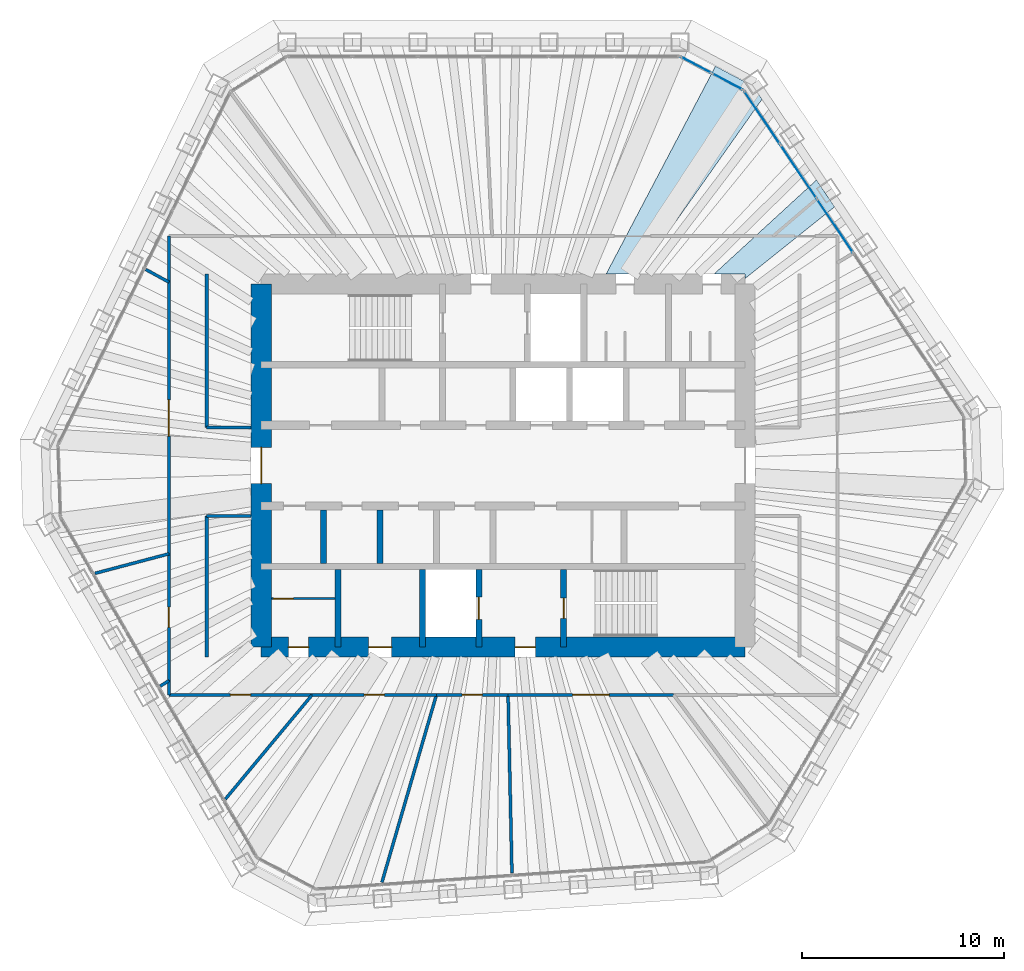
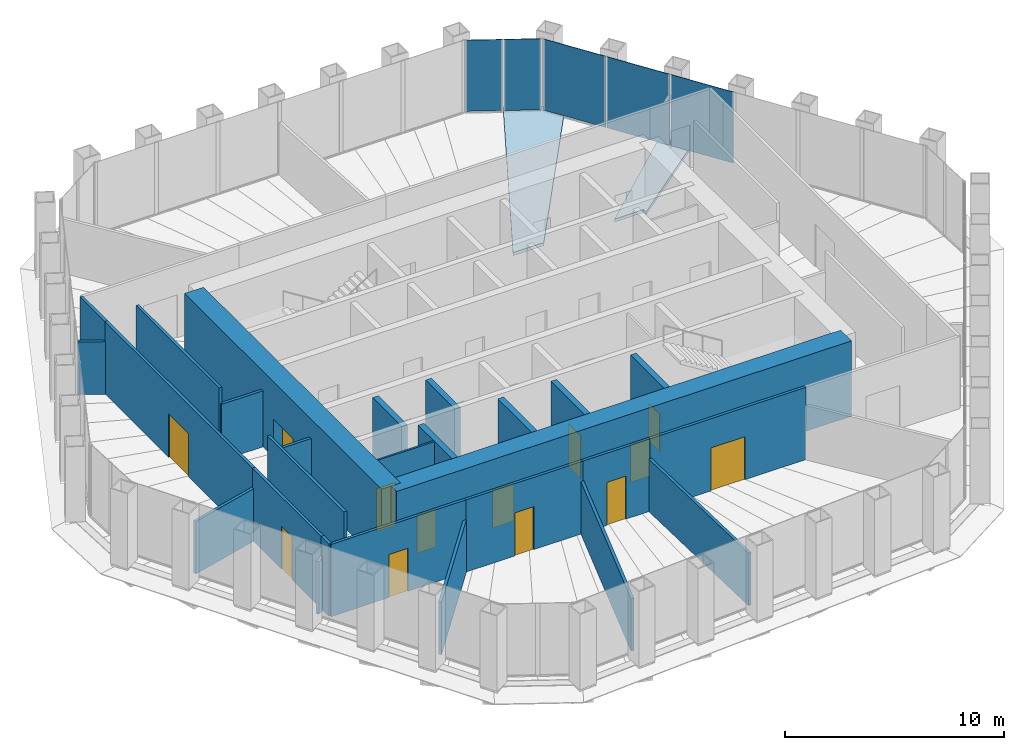
# One storey, part 11 of 14: 27 walls, 13 doors, 5 plates, 2 slabs, 13 openings, 2 elements without a shape of their own.
"""IFC4 building model written with IfcOpenShell, lengths in metres."""

import ifcopenshell
import ifcopenshell.guid

model = None  # the IFC model being written
_history = None  # IfcOwnerHistory: only IFC2X3 demands one
_inside = {}  # id of a spatial element -> (the spatial element, [elements in it])
_under = {}  # id of a project, library or spatial element -> (it, [spatial elements below it])
_declared = {}  # id of a project -> (the project, [libraries it declares])
_typed = {}  # id of a type object -> (the type object, [elements of that type])
_made_of = {}  # id of a material, layer set ... -> (it, [elements and type objects made of it])


def new_model(schema):
    """Start an empty IFC model of exactly this schema.

    Asked for "IFC4X3", IfcOpenShell would pick the latest addendum, in which some entities
    have other attributes; the version numbers below select the first issue.
    IFC2X3 requires an IfcOwnerHistory on every rooted entity: one is made here for all.
    """
    global model, _history
    if schema == "IFC4X3":
        model = ifcopenshell.file(schema_version=(4, 3, 0, 0))
    else:
        model = ifcopenshell.file(schema=schema)
    _inside.clear()
    _under.clear()
    _declared.clear()
    _typed.clear()
    _made_of.clear()
    _history = None
    if model.schema == "IFC2X3":
        org = make("IfcOrganization", Name="unknown")
        user = make(
            "IfcPersonAndOrganization",
            ThePerson=make("IfcPerson", FamilyName="unknown"),
            TheOrganization=org,
        )
        app = make(
            "IfcApplication",
            ApplicationDeveloper=org,
            Version="unknown",
            ApplicationFullName="unknown",
            ApplicationIdentifier="unknown",
        )
        _history = make(
            "IfcOwnerHistory",
            OwningUser=user,
            OwningApplication=app,
            ChangeAction="ADDED",
            CreationDate=0,
        )
    return model


def make(cls, **values):
    """One entity of the class cls with the attributes given. An attribute that is None is left unset."""
    return model.create_entity(
        cls, **{name: value for name, value in values.items() if value is not None}
    )


def rooted(cls, **values):
    """An entity with a GlobalId (a new one), such as an element, a storey or a relation."""
    return make(cls, GlobalId=ifcopenshell.guid.new(), OwnerHistory=_history, **values)


def si_unit(unit_type, name, prefix=None):
    """IfcSIUnit, for example si_unit("LENGTHUNIT", "METRE", prefix="MILLI")."""
    return make("IfcSIUnit", UnitType=unit_type, Prefix=prefix, Name=name)


def assignment(units):
    """IfcUnitAssignment: the units of a project."""
    return None if units is None else make("IfcUnitAssignment", Units=units)


def point(xyz):
    """IfcCartesianPoint."""
    return None if xyz is None else make("IfcCartesianPoint", Coordinates=xyz)


def direction(xyz):
    """IfcDirection."""
    return None if xyz is None else make("IfcDirection", DirectionRatios=xyz)


def frame(location, z_axis=None, x_axis=None):
    """IfcAxis2Placement3D, a coordinate frame: its origin and axes. An axis left out is left unset."""
    return make(
        "IfcAxis2Placement3D",
        Location=point(location),
        Axis=direction(z_axis),
        RefDirection=direction(x_axis),
    )


def frame_2d(location, x_axis=None):
    """IfcAxis2Placement2D, a coordinate frame in the plane: its origin and x axis."""
    return make(
        "IfcAxis2Placement2D", Location=point(location), RefDirection=direction(x_axis)
    )


def origin():
    """The frame at (0, 0, 0) with its axes left unset."""
    return frame((0.0, 0.0, 0.0))


def origin_2d():
    """The frame at (0, 0) in the plane with its x axis left unset."""
    return frame_2d((0.0, 0.0))


def place(relative_to, where):
    """IfcLocalPlacement: puts the frame where relative to a parent placement (None: the world)."""
    return make(
        "IfcLocalPlacement", PlacementRelTo=relative_to, RelativePlacement=where
    )


def context(
    kind, dimensions, precision=None, world=None, true_north=None, identifier=None
):
    """IfcGeometricRepresentationContext, for example the 3D "Model" context."""
    return make(
        "IfcGeometricRepresentationContext",
        ContextIdentifier=identifier,
        ContextType=kind,
        CoordinateSpaceDimension=dimensions,
        Precision=precision,
        WorldCoordinateSystem=world,
        TrueNorth=true_north,
    )


def subcontext(parent, identifier, kind, view, scale=None):
    """IfcGeometricRepresentationSubContext, for example "Body" below "Model"."""
    return make(
        "IfcGeometricRepresentationSubContext",
        ContextIdentifier=identifier,
        ContextType=kind,
        ParentContext=parent,
        TargetScale=scale,
        TargetView=view,
    )


def project(units=None, contexts=None):
    """IfcProject with its units and contexts."""
    return rooted(
        "IfcProject",
        Name="project",
        RepresentationContexts=contexts,
        UnitsInContext=assignment(units),
    )


def spatial(cls, under=None, at=None, **own):
    """A site, building, storey or space (cls), placed at a placement, below another one or the project."""
    s = rooted(cls, ObjectPlacement=at, **own)
    if under is not None:
        _under.setdefault(under.id(), (under, []))[1].append(s)
    return s


def polyline(points):
    """IfcPolyline through the points."""
    return make("IfcPolyline", Points=[point(p) for p in points])


def profile(cls, at=None, kind="AREA", **sizes):
    """A parametric profile (cls). Its sizes go by their IFC names, for example OverallWidth=200.0."""
    return make(cls, ProfileType=kind, Position=at, **sizes)


def rectangle(**sizes):
    """IfcRectangleProfileDef."""
    return profile("IfcRectangleProfileDef", **sizes)


def outline(outer, holes=None, kind="AREA"):
    """IfcArbitraryClosedProfileDef: a profile drawn as a closed curve; with holes, ...WithVoids."""
    if holes is None:
        return make("IfcArbitraryClosedProfileDef", ProfileType=kind, OuterCurve=outer)
    return make(
        "IfcArbitraryProfileDefWithVoids",
        ProfileType=kind,
        OuterCurve=outer,
        InnerCurves=holes,
    )


def extrude(swept, where, along, depth):
    """IfcExtrudedAreaSolid: the profile swept, set in the frame where, extruded along a direction by depth."""
    return make(
        "IfcExtrudedAreaSolid",
        SweptArea=swept,
        Position=where,
        ExtrudedDirection=direction(along),
        Depth=depth,
    )


def shape(context_of_items, identifier, shape_type, items):
    """IfcShapeRepresentation: the items that make up one representation, for example the "Body"."""
    return make(
        "IfcShapeRepresentation",
        ContextOfItems=context_of_items,
        RepresentationIdentifier=identifier,
        RepresentationType=shape_type,
        Items=items,
    )


def material(Name=None, Category=None):
    """IfcMaterial."""
    return make("IfcMaterial", Name=Name, Category=Category)


def layer(
    of_material, thickness, ventilated=None, Name=None, Category=None, Priority=None
):
    """IfcMaterialLayer: one layer of a wall or slab, of a material (None: an air gap)."""
    return make(
        "IfcMaterialLayer",
        Material=of_material,
        LayerThickness=thickness,
        IsVentilated=ventilated,
        Name=Name,
        Category=Category,
        Priority=Priority,
    )


def layer_set(layers, Name=None):
    """IfcMaterialLayerSet."""
    return make("IfcMaterialLayerSet", MaterialLayers=layers, LayerSetName=Name)


def made_of(thing, what):
    """Note that an element or type object is made of a material, layer set ...; save() writes the relation."""
    if what is not None:
        _made_of.setdefault(what.id(), (what, []))[1].append(thing)
    return thing


def type_object(cls, material=None, **own):
    """A type object (cls), such as IfcWallType, which elements share."""
    return made_of(rooted(cls, **own), material)


def element(
    cls,
    number,
    at=None,
    inside=None,
    cuts=None,
    type_object=None,
    material=None,
    context=None,
    identifier="Body",
    shape_type=None,
    held_by="IfcProductDefinitionShape",
    body=None,
    shapes=None,
    **own,
):
    """One element of the class cls, such as IfcWall. Its Tag is "e" and its number.

    at: its placement. inside: the storey or other place that contains it. cuts: it is an
    opening in that element (IfcRelVoidsElement). A single representation is given by context,
    identifier, shape_type and body (its items); several are given by shapes. held_by: the class
    of the entity that holds the representations. save() writes the other relations.
    """
    e = rooted(cls, Tag="e%d" % number, ObjectPlacement=at, **own)
    if body is not None:
        shapes = [shape(context, identifier, shape_type, body)]
    if shapes is not None:
        e.Representation = make(held_by, Representations=shapes)
    if inside is not None:
        _inside.setdefault(inside.id(), (inside, []))[1].append(e)
    if cuts is not None:
        rooted(
            "IfcRelVoidsElement", RelatingBuildingElement=cuts, RelatedOpeningElement=e
        )
    if type_object is not None:
        _typed.setdefault(type_object.id(), (type_object, []))[1].append(e)
    return made_of(e, material)


def fill(opening, filler):
    """IfcRelFillsElement: the door or window that sits in an opening."""
    return rooted(
        "IfcRelFillsElement",
        RelatingOpeningElement=opening,
        RelatedBuildingElement=filler,
    )


def aggregate(whole, parts):
    """IfcRelAggregates: a whole, such as a stair, and the parts it consists of."""
    return rooted("IfcRelAggregates", RelatingObject=whole, RelatedObjects=parts)


def save(model, path):
    """Write the relations noted so far, then the file.

    IfcRelAggregates (storeys below a building ...), IfcRelContainedInSpatialStructure (elements
    in a storey), IfcRelDefinesByType, IfcRelAssociatesMaterial and IfcRelDeclares: one each for
    every whole, place, type object, material and project.
    """
    for whole, parts in _under.values():
        aggregate(whole, parts)
    for where, things in _inside.values():
        rooted(
            "IfcRelContainedInSpatialStructure",
            RelatedElements=things,
            RelatingStructure=where,
        )
    for kind, things in _typed.values():
        rooted("IfcRelDefinesByType", RelatedObjects=things, RelatingType=kind)
    for what, things in _made_of.values():
        rooted("IfcRelAssociatesMaterial", RelatedObjects=things, RelatingMaterial=what)
    for by, libraries in _declared.values():
        rooted("IfcRelDeclares", RelatingContext=by, RelatedDefinitions=libraries)
    model.write(path)


model = new_model("IFC4")

# Units and contexts
model_context = context("Model", 3, precision=1e-05, world=origin(), true_north=direction((0.0, 1.0)))
body_context = subcontext(model_context, "Body", "Model", "MODEL_VIEW")
ifc_project = project(units=[si_unit("LENGTHUNIT", "METRE"), si_unit("AREAUNIT", "SQUARE_METRE"), si_unit("VOLUMEUNIT", "CUBIC_METRE"), si_unit("PLANEANGLEUNIT", "RADIAN"), si_unit("MASSUNIT", "GRAM", prefix="KILO")], contexts=[model_context])

# Site, building, storey
site_placement = place(None, origin())
site = spatial("IfcSite", under=ifc_project, at=site_placement, CompositionType="ELEMENT")
building_placement = place(site_placement, origin())
building = spatial("IfcBuilding", under=site, at=building_placement, Name="Qingtian Harvest Tower", CompositionType="ELEMENT")
storey_placement = place(building_placement, frame((0.0, 0.0, 299.800048828125)))
storey = spatial("IfcBuildingStorey", under=building, at=storey_placement, Name="L66", CompositionType="ELEMENT", Elevation=299.800048828125)

# Slabs
ifc_material_1 = material(Name="Concrete fc' 35 MPa", Category="concrete")
ifc_layer_1 = layer(ifc_material_1, 0.169921875)
ifc_layer_set_1 = layer_set([ifc_layer_1], Name="Composite floor slab FS17 170")
slab_type = type_object("IfcSlabType", Name="Composite floor slab FS17 170", PredefinedType="FLOOR", material=ifc_layer_set_1)
slab_1_placement = place(storey_placement, frame((0.0, 0.0, -0.170166015625)))
element("IfcSlab", 1, at=slab_1_placement, inside=storey, type_object=slab_type, Name="Floor slab L66 panel D48", PredefinedType="FLOOR", context=body_context, shape_type="SweptSolid", body=[
    extrude(outline(polyline([(12.0, 9.5), (10.4599609375, 9.5), (15.541259765625, 14.16455078125), (16.44189453125, 12.829345703125), (12.0, 9.2734375), (12.0, 9.5)])), origin(), (0.0, 0.0, 1.0), 0.170166015625),
])
slab_2_placement = place(storey_placement, frame((0.0, 0.0, -0.170166015625)))
element("IfcSlab", 2, at=slab_2_placement, inside=storey, type_object=slab_type, Name="Floor slab L66 panel D52", PredefinedType="FLOOR", context=body_context, shape_type="SweptSolid", body=[
    extrude(outline(polyline([(6.73291015625, 9.5), (5.108154296875, 9.5), (10.5341796875, 19.809814453125), (12.404296875, 18.8154296875), (12.841796875, 18.16650390625), (6.73291015625, 9.5)])), origin(), (0.0, 0.0, 1.0), 0.170166015625),
])

# Curtain wall, plates
ifc_material_2 = material(Name="Bronze-anodised aluminium curtain wall", Category="aluminium")
curtain_wall_type = type_object("IfcCurtainWallType", Name="Curtain wall CW5 upper office", PredefinedType="USERDEFINED", material=ifc_material_2)
curtain_wall_1_placement = place(storey_placement, origin())
curtain_wall_1 = element("IfcCurtainWall", 3, at=curtain_wall_1_placement, inside=storey, type_object=curtain_wall_type, Name="Curtain wall CW5 L66 NC", ObjectType="RECESSED CURTAIN WALL", PredefinedType="USERDEFINED")
ifc_material_3 = material(Name="Bronze-tinted laminated insulating glass", Category="glass")
ifc_layer_2 = layer(ifc_material_3, 0.030029296875)
ifc_layer_set_2 = layer_set([ifc_layer_2], Name="Glazed panel CWP tinted IGU")
plate_type = type_object("IfcPlateType", Name="Glazed panel CWP tinted IGU", PredefinedType="CURTAIN_PANEL", material=ifc_layer_set_2)
plate_1_placement = place(storey_placement, frame((9.57080078125, 19.8720703125, 0.06494140625), z_axis=(0.0, 0.0, 1.0), x_axis=(0.882947592859, -0.469471562786, 0.0)))
plate_1 = element("IfcPlate", 4, at=plate_1_placement, type_object=plate_type, Name="CW5 panel 1.1", PredefinedType="CURTAIN_PANEL", context=body_context, shape_type="SweptSolid", body=[
    extrude(rectangle(XDim=1.69287109375, YDim=0.030029296875, at=origin_2d()), origin(), (0.0, 0.0, 1.0), 3.965087890625),
])
plate_2_placement = place(storey_placement, frame((11.122802734375, 19.046875, 0.06494140625), z_axis=(0.0, 0.0, 1.0), x_axis=(0.882947592859, -0.469471562786, 0.0)))
plate_2 = element("IfcPlate", 5, at=plate_2_placement, type_object=plate_type, Name="CW5 panel 2.1", PredefinedType="CURTAIN_PANEL", context=body_context, shape_type="SweptSolid", body=[
    extrude(rectangle(XDim=1.69287109375, YDim=0.030029296875, at=origin_2d()), origin(), (0.0, 0.0, 1.0), 3.965087890625),
])
aggregate(curtain_wall_1, [plate_1, plate_2])

curtain_wall_2_placement = place(storey_placement, origin())
curtain_wall_2 = element("IfcCurtainWall", 6, at=curtain_wall_2_placement, inside=storey, type_object=curtain_wall_type, Name="Curtain wall CW5 L66 NE0-5", ObjectType="RECESSED CURTAIN WALL", PredefinedType="USERDEFINED")
plate_3_placement = place(storey_placement, frame((12.844970703125, 17.259033203125, 0.06494140625), z_axis=(0.0, 0.0, 1.0), x_axis=(0.559192903471, -0.829037572555, 0.0)))
plate_3 = element("IfcPlate", 7, at=plate_3_placement, type_object=plate_type, Name="CW5 panel 1.1", PredefinedType="CURTAIN_PANEL", context=body_context, shape_type="SweptSolid", body=[
    extrude(rectangle(XDim=3.150634765625, YDim=0.030029296875, at=origin_2d()), origin(), (0.0, 0.0, 1.0), 3.965087890625),
])
plate_4_placement = place(storey_placement, frame((14.652099609375, 14.579833984375, 0.06494140625), z_axis=(0.0, 0.0, 1.0), x_axis=(0.559192903471, -0.829037572555, 0.0)))
plate_4 = element("IfcPlate", 8, at=plate_4_placement, type_object=plate_type, Name="CW5 panel 2.1", PredefinedType="CURTAIN_PANEL", context=body_context, shape_type="SweptSolid", body=[
    extrude(rectangle(XDim=3.18310546875, YDim=0.030029296875, at=origin_2d()), origin(), (0.0, 0.0, 1.0), 3.965087890625),
])
plate_5_placement = place(storey_placement, frame((16.46826171875, 11.886962890625, 0.06494140625), z_axis=(0.0, 0.0, 1.0), x_axis=(0.559192903471, -0.829037572555, 0.0)))
plate_5 = element("IfcPlate", 9, at=plate_5_placement, type_object=plate_type, Name="CW5 panel 3.1", PredefinedType="CURTAIN_PANEL", context=body_context, shape_type="SweptSolid", body=[
    extrude(rectangle(XDim=3.18310546875, YDim=0.030029296875, at=origin_2d()), origin(), (0.0, 0.0, 1.0), 3.965087890625),
])
aggregate(curtain_wall_2, [plate_3, plate_4, plate_5])

# Walls
ifc_material_4 = material(Name="Precast concrete shaft panel", Category="concrete")
ifc_layer_3 = layer(ifc_material_4, 0.300048828125)
ifc_layer_set_3 = layer_set([ifc_layer_3], Name="Core shaft partition SW1 300")
wall_type_1 = type_object("IfcWallType", Name="Core shaft partition SW1 300", PredefinedType="PARTITIONING", material=ifc_layer_set_3)
for number, where, z_axis, x_axis, name in (
    (10, (-8.89990234375, -4.85009765625, 0.0), (0.0, 0.0, 1.0), (0.0, 1.0, 0.0), "Core shaft partition XB1 L66"),
    (11, (-6.10009765625, -4.85009765625, 0.0), (0.0, 0.0, 1.0), (0.0, 1.0, 0.0), "Core shaft partition XB2 L66"),
):
    element("IfcWall", number, at=place(storey_placement, frame(where, z_axis=z_axis, x_axis=x_axis)), inside=storey, type_object=wall_type_1, Name=name, PredefinedType="PARTITIONING", context=body_context, shape_type="SweptSolid", body=[
        extrude(rectangle(XDim=2.650146484375, YDim=0.300048828125, at=frame_2d((1.3251953125, 0.0))), origin(), (0.0, 0.0, 1.0), 3.97998046875),
    ])
for number, where, z_axis, x_axis, name in (
    (12, (-8.199951171875, -9.0, 0.0), (0.0, 0.0, 1.0), (0.0, 1.0, 0.0), "Core shaft partition XS1 L66"),
    (13, (-4.0, -9.0, 0.0), (0.0, 0.0, 1.0), (0.0, 1.0, 0.0), "Core shaft partition XS2 L66"),
):
    element("IfcWall", number, at=place(storey_placement, frame(where, z_axis=z_axis, x_axis=x_axis)), inside=storey, type_object=wall_type_1, Name=name, PredefinedType="PARTITIONING", context=body_context, shape_type="SweptSolid", body=[
        extrude(rectangle(XDim=3.85009765625, YDim=0.300048828125, at=frame_2d((1.925048828125, 0.0))), origin(), (0.0, 0.0, 1.0), 3.97998046875),
    ])

# Wall, opening, door
wall_1_placement = place(storey_placement, frame((-1.199951171875, -9.0, 0.0), z_axis=(0.0, 0.0, 1.0), x_axis=(0.0, 1.0, 0.0)))
wall_1 = element("IfcWall", 14, at=wall_1_placement, inside=storey, type_object=wall_type_1, Name="Core shaft partition XS3 L66", PredefinedType="PARTITIONING", context=body_context, shape_type="SweptSolid", body=[
    extrude(rectangle(XDim=3.85009765625, YDim=0.300048828125, at=frame_2d((1.925048828125, 0.0))), origin(), (0.0, 0.0, 1.0), 3.97998046875),
])
opening_1_placement = place(wall_1_placement, frame((1.375, 0.0, 0.0)))
opening_1 = element("IfcOpeningElement", 15, at=opening_1_placement, cuts=wall_1, Name="Opening LD1", PredefinedType="OPENING", context=body_context, shape_type="SweptSolid", body=[
    extrude(rectangle(XDim=1.10009765625, YDim=2.39990234375, at=frame_2d((0.550048828125, 1.199951171875))), frame((0.0, 0.159912109375, 0.0), z_axis=(0.0, -1.0, 0.0), x_axis=(1.0, 0.0, 0.0)), (0.0, 0.0, 1.0), 0.320068359375),
])
ifc_material_5 = material(Name="Stainless steel lift landing door", Category="steel")
door_type_1 = type_object("IfcDoorType", Name="Lift landing door LD1 1 HR", OperationType="DOUBLE_DOOR_SLIDING", PredefinedType="DOOR", material=ifc_material_5)
door_1_placement = place(opening_1_placement, origin())
door_1 = element("IfcDoor", 16, at=door_1_placement, inside=storey, type_object=door_type_1, Name="FL2 landing door L66", OperationType="DOUBLE_DOOR_SLIDING", OverallHeight=2.39990234375, OverallWidth=1.10009765625, PredefinedType="DOOR", context=body_context, shape_type="SweptSolid", body=[
    extrude(rectangle(XDim=1.10009765625, YDim=2.39990234375, at=frame_2d((0.550048828125, 1.199951171875))), frame((0.0, 0.02490234375, 0.0), z_axis=(0.0, -1.0, 0.0), x_axis=(1.0, 0.0, 0.0)), (0.0, 0.0, 1.0), 0.050048828125),
])
fill(opening_1, door_1)

wall_2_placement = place(storey_placement, frame((3.0, -9.0, 0.0), z_axis=(0.0, 0.0, 1.0), x_axis=(0.0, 1.0, 0.0)))
wall_2 = element("IfcWall", 17, at=wall_2_placement, inside=storey, type_object=wall_type_1, Name="Core shaft partition XS4 L66", PredefinedType="PARTITIONING", context=body_context, shape_type="SweptSolid", body=[
    extrude(rectangle(XDim=3.85009765625, YDim=0.300048828125, at=frame_2d((1.925048828125, 0.0))), origin(), (0.0, 0.0, 1.0), 3.97998046875),
])
opening_2_placement = place(wall_2_placement, frame((1.425048828125, 0.0, 0.0)))
opening_2 = element("IfcOpeningElement", 18, at=opening_2_placement, cuts=wall_2, Name="Opening FD1", PredefinedType="OPENING", context=body_context, shape_type="SweptSolid", body=[
    extrude(rectangle(XDim=1.0, YDim=2.10009765625, at=frame_2d((0.5, 1.050048828125))), frame((0.0, 0.159912109375, 0.0), z_axis=(0.0, -1.0, 0.0), x_axis=(1.0, 0.0, 0.0)), (0.0, 0.0, 1.0), 0.320068359375),
])
ifc_material_6 = material(Name="Steel-faced door leaf", Category="steel")
door_type_2 = type_object("IfcDoorType", Name="Fire door FD1 single 1 HR", OperationType="SINGLE_SWING_LEFT", PredefinedType="DOOR", material=ifc_material_6)
door_2_placement = place(opening_2_placement, origin())
door_2 = element("IfcDoor", 19, at=door_2_placement, inside=storey, type_object=door_type_2, Name="S2 door L66", OperationType="SINGLE_SWING_LEFT", OverallHeight=2.10009765625, OverallWidth=1.0, PredefinedType="DOOR", context=body_context, shape_type="SweptSolid", body=[
    extrude(rectangle(XDim=1.0, YDim=2.10009765625, at=frame_2d((0.5, 1.050048828125))), frame((0.0, 0.02490234375, 0.0), z_axis=(0.0, -1.0, 0.0), x_axis=(1.0, 0.0, 0.0)), (0.0, 0.0, 1.0), 0.050048828125),
])
fill(opening_2, door_2)

# Wall, openings, doors
ifc_material_7 = material(Name="Concrete fc' 70 MPa", Category="concrete")
ifc_layer_4 = layer(ifc_material_7, 1.0)
ifc_layer_set_4 = layer_set([ifc_layer_4], Name="Core wall RC3 1000")
wall_type_2 = type_object("IfcWallType", Name="Core wall RC3 1000", PredefinedType="SHEAR", material=ifc_layer_set_4)
wall_3_placement = place(storey_placement, frame((-12.0, -9.0, 0.0), z_axis=(0.0, 0.0, 1.0), x_axis=(1.0, 0.0, 0.0)))
wall_3 = element("IfcWall", 20, at=wall_3_placement, inside=storey, type_object=wall_type_2, Name="Core wall CS L66", PredefinedType="SHEAR", context=body_context, shape_type="SweptSolid", body=[
    extrude(rectangle(XDim=24.0, YDim=1.0, at=frame_2d((12.0, 0.0))), origin(), (0.0, 0.0, 1.0), 4.199951171875),
])
opening_3_placement = place(wall_3_placement, frame((1.35009765625, 0.0, 0.0)))
opening_3 = element("IfcOpeningElement", 21, at=opening_3_placement, cuts=wall_3, Name="Opening FD1", PredefinedType="OPENING", context=body_context, shape_type="SweptSolid", body=[
    extrude(rectangle(XDim=1.0, YDim=2.10009765625, at=frame_2d((0.5, 1.050048828125))), frame((0.0, 0.510009765625, 0.0), z_axis=(0.0, -1.0, 0.0), x_axis=(1.0, 0.0, 0.0)), (0.0, 0.0, 1.0), 1.02001953125),
])
opening_4_placement = place(wall_3_placement, frame((5.324951171875, 0.0, 0.0)))
opening_4 = element("IfcOpeningElement", 22, at=opening_4_placement, cuts=wall_3, Name="Opening AD1", PredefinedType="OPENING", context=body_context, shape_type="SweptSolid", body=[
    extrude(rectangle(XDim=1.14990234375, YDim=2.10009765625, at=frame_2d((0.574951171875, 1.050048828125))), frame((0.0, 0.510009765625, 0.0), z_axis=(0.0, -1.0, 0.0), x_axis=(1.0, 0.0, 0.0)), (0.0, 0.0, 1.0), 1.02001953125),
])
opening_5_placement = place(wall_3_placement, frame((12.60009765625, 0.0, 0.0)))
opening_5 = element("IfcOpeningElement", 23, at=opening_5_placement, cuts=wall_3, Name="Opening FD1", PredefinedType="OPENING", context=body_context, shape_type="SweptSolid", body=[
    extrude(rectangle(XDim=1.0, YDim=2.10009765625, at=frame_2d((0.5, 1.050048828125))), frame((0.0, 0.510009765625, 0.0), z_axis=(0.0, -1.0, 0.0), x_axis=(1.0, 0.0, 0.0)), (0.0, 0.0, 1.0), 1.02001953125),
])
ifc_material_8 = material(Name="Laminated timber door leaf", Category="wood")
door_type_3 = type_object("IfcDoorType", Name="Accessible WC door AD1 single", OperationType="SINGLE_SWING_LEFT", PredefinedType="DOOR", material=ifc_material_8)
door_3_placement = place(opening_4_placement, origin())
door_3 = element("IfcDoor", 24, at=door_3_placement, inside=storey, type_object=door_type_3, Name="AWC door L66", OperationType="SINGLE_SWING_RIGHT", OverallHeight=2.10009765625, OverallWidth=1.14990234375, PredefinedType="DOOR", context=body_context, shape_type="SweptSolid", body=[
    extrude(rectangle(XDim=1.14990234375, YDim=2.10009765625, at=frame_2d((0.574951171875, 1.050048828125))), frame((0.0, 0.02490234375, 0.0), z_axis=(0.0, -1.0, 0.0), x_axis=(1.0, 0.0, 0.0)), (0.0, 0.0, 1.0), 0.050048828125),
])
fill(opening_4, door_3)
door_4_placement = place(opening_3_placement, origin())
door_4 = element("IfcDoor", 25, at=door_4_placement, inside=storey, type_object=door_type_2, Name="CLN door L66", OperationType="SINGLE_SWING_LEFT", OverallHeight=2.10009765625, OverallWidth=1.0, PredefinedType="DOOR", context=body_context, shape_type="SweptSolid", body=[
    extrude(rectangle(XDim=1.0, YDim=2.10009765625, at=frame_2d((0.5, 1.050048828125))), frame((0.0, 0.02490234375, 0.0), z_axis=(0.0, -1.0, 0.0), x_axis=(1.0, 0.0, 0.0)), (0.0, 0.0, 1.0), 0.050048828125),
])
fill(opening_3, door_4)
door_5_placement = place(opening_5_placement, origin())
door_5 = element("IfcDoor", 26, at=door_5_placement, inside=storey, type_object=door_type_2, Name="V2 door L66", OperationType="SINGLE_SWING_RIGHT", OverallHeight=2.10009765625, OverallWidth=1.0, PredefinedType="DOOR", context=body_context, shape_type="SweptSolid", body=[
    extrude(rectangle(XDim=1.0, YDim=2.10009765625, at=frame_2d((0.5, 1.050048828125))), frame((0.0, 0.02490234375, 0.0), z_axis=(0.0, -1.0, 0.0), x_axis=(1.0, 0.0, 0.0)), (0.0, 0.0, 1.0), 0.050048828125),
])
fill(opening_5, door_5)

# Wall, opening, door
wall_4_placement = place(storey_placement, frame((-12.0, -9.0, 0.0), z_axis=(0.0, 0.0, 1.0), x_axis=(0.0, 1.0, 0.0)))
wall_4 = element("IfcWall", 27, at=wall_4_placement, inside=storey, type_object=wall_type_2, Name="Core wall CW L66", PredefinedType="SHEAR", context=body_context, shape_type="SweptSolid", body=[
    extrude(rectangle(XDim=18.0, YDim=1.0, at=frame_2d((9.0, 0.0))), origin(), (0.0, 0.0, 1.0), 4.199951171875),
])
opening_6_placement = place(wall_4_placement, frame((8.10009765625, 0.0, 0.0)))
opening_6 = element("IfcOpeningElement", 28, at=opening_6_placement, cuts=wall_4, Name="Opening FD2", PredefinedType="OPENING", context=body_context, shape_type="SweptSolid", body=[
    extrude(rectangle(XDim=1.800048828125, YDim=2.10009765625, at=frame_2d((0.89990234375, 1.050048828125))), frame((0.0, 0.510009765625, 0.0), z_axis=(0.0, -1.0, 0.0), x_axis=(1.0, 0.0, 0.0)), (0.0, 0.0, 1.0), 1.02001953125),
])
ifc_material_9 = material(Name="Steel-faced door leaf", Category="steel")
door_type_4 = type_object("IfcDoorType", Name="Fire door FD2 double 1 HR", OperationType="DOUBLE_DOOR_DOUBLE_SWING", PredefinedType="DOOR", material=ifc_material_9)
door_6_placement = place(opening_6_placement, origin())
door_6 = element("IfcDoor", 29, at=door_6_placement, inside=storey, type_object=door_type_4, Name="LOBBY-W door L66", OperationType="DOUBLE_DOOR_DOUBLE_SWING", OverallHeight=2.10009765625, OverallWidth=1.800048828125, PredefinedType="DOOR", context=body_context, shape_type="SweptSolid", body=[
    extrude(rectangle(XDim=1.800048828125, YDim=2.10009765625, at=frame_2d((0.89990234375, 1.050048828125))), frame((0.0, 0.02490234375, 0.0), z_axis=(0.0, -1.0, 0.0), x_axis=(1.0, 0.0, 0.0)), (0.0, 0.0, 1.0), 0.050048828125),
])
fill(opening_6, door_6)

# Walls
ifc_material_10 = material(Name="Gypsum board on steel studs", Category="steel")
ifc_layer_5 = layer(ifc_material_10, 0.14990234375)
ifc_layer_set_5 = layer_set([ifc_layer_5], Name="Partition PT1 150")
wall_type_3 = type_object("IfcWallType", Name="Partition PT1 150", PredefinedType="PARTITIONING", material=ifc_layer_set_5)
wall_5_placement = place(storey_placement, frame((-17.72900390625, 9.72998046875, 0.0), z_axis=(0.0, 0.0, 1.0), x_axis=(0.87667364743, -0.481085559855, 0.0)))
element("IfcWall", 30, at=wall_5_placement, inside=storey, type_object=wall_type_3, Name="Workplace zone wall L66", PredefinedType="PARTITIONING", context=body_context, shape_type="SweptSolid", body=[
    extrude(rectangle(XDim=1.31640625, YDim=0.14990234375, at=frame_2d((0.658203125, 0.0))), origin(), (0.0, 0.0, 1.0), 2.929931640625),
])
wall_6_placement = place(storey_placement, frame((-16.574951171875, 9.0966796875, 0.0), z_axis=(0.0, 0.0, 1.0), x_axis=(0.0, 1.0, 0.0)))
element("IfcWall", 31, at=wall_6_placement, inside=storey, type_object=wall_type_3, Name="Workplace zone wall L66", PredefinedType="PARTITIONING", context=body_context, shape_type="SweptSolid", body=[
    extrude(rectangle(XDim=2.2783203125, YDim=0.14990234375, at=frame_2d((1.13916015625, 0.0))), origin(), (0.0, 0.0, 1.0), 4.030029296875),
])

# Wall, opening, door
wall_7_placement = place(storey_placement, frame((8.46142578125, -11.375, 0.0), z_axis=(0.0, 0.0, 1.0), x_axis=(-1.0, 0.0, 0.0)))
wall_7 = element("IfcWall", 32, at=wall_7_placement, inside=storey, type_object=wall_type_3, Name="Workplace zone wall L66", PredefinedType="PARTITIONING", context=body_context, shape_type="SweptSolid", body=[
    extrude(rectangle(XDim=8.21484375, YDim=0.14990234375, at=frame_2d((4.107421875, 0.0))), origin(), (0.0, 0.0, 1.0), 4.030029296875),
])
opening_7_placement = place(wall_7_placement, frame((3.20751953125, 0.0, 0.0)))
opening_7 = element("IfcOpeningElement", 33, at=opening_7_placement, cuts=wall_7, Name="Opening D3", PredefinedType="OPENING", context=body_context, shape_type="SweptSolid", body=[
    extrude(rectangle(XDim=1.800048828125, YDim=2.39990234375, at=frame_2d((0.89990234375, 1.199951171875))), frame((0.0, 0.0849609375, 0.0), z_axis=(0.0, -1.0, 0.0), x_axis=(1.0, 0.0, 0.0)), (0.0, 0.0, 1.0), 0.169921875),
])
ifc_material_11 = material(Name="Laminated timber door leaf", Category="wood")
door_type_5 = type_object("IfcDoorType", Name="Room door D3 double", OperationType="DOUBLE_DOOR_DOUBLE_SWING", PredefinedType="DOOR", material=ifc_material_11)
door_7_placement = place(opening_7_placement, origin())
door_7 = element("IfcDoor", 34, at=door_7_placement, inside=storey, type_object=door_type_5, Name="Workplace zone door L66", OperationType="DOUBLE_DOOR_DOUBLE_SWING", OverallHeight=2.39990234375, OverallWidth=1.800048828125, PredefinedType="DOOR", context=body_context, shape_type="SweptSolid", body=[
    extrude(rectangle(XDim=1.800048828125, YDim=2.39990234375, at=frame_2d((0.89990234375, 1.199951171875))), frame((0.0, 0.02490234375, 0.0), z_axis=(0.0, -1.0, 0.0), x_axis=(1.0, 0.0, 0.0)), (0.0, 0.0, 1.0), 0.050048828125),
])
fill(opening_7, door_7)

# Wall
wall_8_placement = place(storey_placement, frame((0.43798828125, -20.21875, 0.0), z_axis=(0.0, 0.0, 1.0), x_axis=(-0.021638042243, 0.999765870156, 0.0)))
element("IfcWall", 35, at=wall_8_placement, inside=storey, type_object=wall_type_3, Name="Pantry wall L66", PredefinedType="PARTITIONING", context=body_context, shape_type="SweptSolid", body=[
    extrude(rectangle(XDim=8.845703125, YDim=0.14990234375, at=frame_2d((4.4228515625, 0.0))), origin(), (0.0, 0.0, 1.0), 2.929931640625),
])

# Wall, opening, door
wall_9_placement = place(storey_placement, frame((0.24658203125, -11.375, 0.0), z_axis=(0.0, 0.0, 1.0), x_axis=(-1.0, 0.0, 0.0)))
wall_9 = element("IfcWall", 36, at=wall_9_placement, inside=storey, type_object=wall_type_3, Name="Pantry wall L66", PredefinedType="PARTITIONING", context=body_context, shape_type="SweptSolid", body=[
    extrude(rectangle(XDim=3.55419921875, YDim=0.14990234375, at=frame_2d((1.777099609375, 0.0))), origin(), (0.0, 0.0, 1.0), 4.030029296875),
])
opening_8_placement = place(wall_9_placement, frame((1.277099609375, 0.0, 0.0)))
opening_8 = element("IfcOpeningElement", 37, at=opening_8_placement, cuts=wall_9, Name="Opening D2", PredefinedType="OPENING", context=body_context, shape_type="SweptSolid", body=[
    extrude(rectangle(XDim=1.0, YDim=2.39990234375, at=frame_2d((0.5, 1.199951171875))), frame((0.0, 0.0849609375, 0.0), z_axis=(0.0, -1.0, 0.0), x_axis=(1.0, 0.0, 0.0)), (0.0, 0.0, 1.0), 0.169921875),
])
ifc_material_12 = material(Name="Laminated timber door leaf", Category="wood")
door_type_6 = type_object("IfcDoorType", Name="Room door D2 single", OperationType="SINGLE_SWING_LEFT", PredefinedType="DOOR", material=ifc_material_12)
door_8_placement = place(opening_8_placement, origin())
door_8 = element("IfcDoor", 38, at=door_8_placement, inside=storey, type_object=door_type_6, Name="Pantry door L66", OperationType="SINGLE_SWING_LEFT", OverallHeight=2.39990234375, OverallWidth=1.0, PredefinedType="DOOR", context=body_context, shape_type="SweptSolid", body=[
    extrude(rectangle(XDim=1.0, YDim=2.39990234375, at=frame_2d((0.5, 1.199951171875))), frame((0.0, 0.02490234375, 0.0), z_axis=(0.0, -1.0, 0.0), x_axis=(1.0, 0.0, 0.0)), (0.0, 0.0, 1.0), 0.050048828125),
])
fill(opening_8, door_8)

# Wall
wall_10_placement = place(storey_placement, frame((-6.011962890625, -20.67578125, 0.0), z_axis=(0.0, 0.0, 1.0), x_axis=(0.279202358069, 0.960232286089, 0.0)))
element("IfcWall", 39, at=wall_10_placement, inside=storey, type_object=wall_type_3, Name="Focus room wall L66", PredefinedType="PARTITIONING", context=body_context, shape_type="SweptSolid", body=[
    extrude(rectangle(XDim=9.68603515625, YDim=0.14990234375, at=frame_2d((4.843017578125, 0.0))), origin(), (0.0, 0.0, 1.0), 2.929931640625),
])

# Wall, opening, door
wall_11_placement = place(storey_placement, frame((-3.3076171875, -11.375, 0.0), z_axis=(0.0, 0.0, 1.0), x_axis=(-1.0, 0.0, 0.0)))
wall_11 = element("IfcWall", 40, at=wall_11_placement, inside=storey, type_object=wall_type_3, Name="Focus room wall L66", PredefinedType="PARTITIONING", context=body_context, shape_type="SweptSolid", body=[
    extrude(rectangle(XDim=6.165283203125, YDim=0.14990234375, at=frame_2d((3.08251953125, 0.0))), origin(), (0.0, 0.0, 1.0), 4.030029296875),
])
opening_9_placement = place(wall_11_placement, frame((2.582763671875, 0.0, 0.0)))
opening_9 = element("IfcOpeningElement", 41, at=opening_9_placement, cuts=wall_11, Name="Opening D2", PredefinedType="OPENING", context=body_context, shape_type="SweptSolid", body=[
    extrude(rectangle(XDim=1.0, YDim=2.39990234375, at=frame_2d((0.5, 1.199951171875))), frame((0.0, 0.0849609375, 0.0), z_axis=(0.0, -1.0, 0.0), x_axis=(1.0, 0.0, 0.0)), (0.0, 0.0, 1.0), 0.169921875),
])
door_9_placement = place(opening_9_placement, origin())
door_9 = element("IfcDoor", 42, at=door_9_placement, inside=storey, type_object=door_type_6, Name="Focus room door L66", OperationType="SINGLE_SWING_LEFT", OverallHeight=2.39990234375, OverallWidth=1.0, PredefinedType="DOOR", context=body_context, shape_type="SweptSolid", body=[
    extrude(rectangle(XDim=1.0, YDim=2.39990234375, at=frame_2d((0.5, 1.199951171875))), frame((0.0, 0.02490234375, 0.0), z_axis=(0.0, -1.0, 0.0), x_axis=(1.0, 0.0, 0.0)), (0.0, 0.0, 1.0), 0.050048828125),
])
fill(opening_9, door_9)

# Wall
wall_12_placement = place(storey_placement, frame((-13.779296875, -16.546142578125, 0.0), z_axis=(0.0, 0.0, 1.0), x_axis=(0.63993100432, 0.768432371592, 0.0)))
element("IfcWall", 43, at=wall_12_placement, inside=storey, type_object=wall_type_3, Name="Print room wall L66", PredefinedType="PARTITIONING", context=body_context, shape_type="SweptSolid", body=[
    extrude(rectangle(XDim=6.7294921875, YDim=0.14990234375, at=frame_2d((3.36474609375, 0.0))), origin(), (0.0, 0.0, 1.0), 2.929931640625),
])

# Wall, opening, door
wall_13_placement = place(storey_placement, frame((-9.472900390625, -11.375, 0.0), z_axis=(0.0, 0.0, 1.0), x_axis=(-1.0, 0.0, 0.0)))
wall_13 = element("IfcWall", 44, at=wall_13_placement, inside=storey, type_object=wall_type_3, Name="Print room wall L66", PredefinedType="PARTITIONING", context=body_context, shape_type="SweptSolid", body=[
    extrude(rectangle(XDim=7.10205078125, YDim=0.14990234375, at=frame_2d((3.551025390625, 0.0))), origin(), (0.0, 0.0, 1.0), 4.030029296875),
])
opening_10_placement = place(wall_13_placement, frame((3.051025390625, 0.0, 0.0)))
opening_10 = element("IfcOpeningElement", 45, at=opening_10_placement, cuts=wall_13, Name="Opening D2", PredefinedType="OPENING", context=body_context, shape_type="SweptSolid", body=[
    extrude(rectangle(XDim=1.0, YDim=2.39990234375, at=frame_2d((0.5, 1.199951171875))), frame((0.0, 0.0849609375, 0.0), z_axis=(0.0, -1.0, 0.0), x_axis=(1.0, 0.0, 0.0)), (0.0, 0.0, 1.0), 0.169921875),
])
door_10_placement = place(opening_10_placement, origin())
door_10 = element("IfcDoor", 46, at=door_10_placement, inside=storey, type_object=door_type_6, Name="Print room door L66", OperationType="SINGLE_SWING_LEFT", OverallHeight=2.39990234375, OverallWidth=1.0, PredefinedType="DOOR", context=body_context, shape_type="SweptSolid", body=[
    extrude(rectangle(XDim=1.0, YDim=2.39990234375, at=frame_2d((0.5, 1.199951171875))), frame((0.0, 0.02490234375, 0.0), z_axis=(0.0, -1.0, 0.0), x_axis=(1.0, 0.0, 0.0)), (0.0, 0.0, 1.0), 0.050048828125),
])
fill(opening_10, door_10)

# Walls
wall_14_placement = place(storey_placement, frame((-16.574951171875, -11.375, 0.0), z_axis=(0.0, 0.0, 1.0), x_axis=(0.0, 1.0, 0.0)))
element("IfcWall", 47, at=wall_14_placement, inside=storey, type_object=wall_type_3, Name="Print room wall L66", PredefinedType="PARTITIONING", context=body_context, shape_type="SweptSolid", body=[
    extrude(rectangle(XDim=0.7099609375, YDim=0.14990234375, at=frame_2d((0.35498046875, 0.0))), origin(), (0.0, 0.0, 1.0), 4.030029296875),
])
wall_15_placement = place(storey_placement, frame((-17.007080078125, -10.943115234375, 0.0), z_axis=(0.0, 0.0, 1.0), x_axis=(0.840931402951, 0.541141733311, 0.0)))
element("IfcWall", 48, at=wall_15_placement, inside=storey, type_object=wall_type_3, Name="Meeting room wall L66", PredefinedType="PARTITIONING", context=body_context, shape_type="SweptSolid", body=[
    extrude(rectangle(XDim=0.513916015625, YDim=0.14990234375, at=frame_2d((0.2568359375, 0.0))), origin(), (0.0, 0.0, 1.0), 2.929931640625),
])

# Wall, opening, door
wall_16_placement = place(storey_placement, frame((-16.574951171875, -10.6650390625, 0.0), z_axis=(0.0, 0.0, 1.0), x_axis=(0.0, 1.0, 0.0)))
wall_16 = element("IfcWall", 49, at=wall_16_placement, inside=storey, type_object=wall_type_3, Name="Meeting room wall L66", PredefinedType="PARTITIONING", context=body_context, shape_type="SweptSolid", body=[
    extrude(rectangle(XDim=6.287841796875, YDim=0.14990234375, at=frame_2d((3.14404296875, 0.0))), origin(), (0.0, 0.0, 1.0), 4.030029296875),
])
opening_11_placement = place(wall_16_placement, frame((2.643798828125, 0.0, 0.0)))
opening_11 = element("IfcOpeningElement", 50, at=opening_11_placement, cuts=wall_16, Name="Opening D2", PredefinedType="OPENING", context=body_context, shape_type="SweptSolid", body=[
    extrude(rectangle(XDim=1.0, YDim=2.39990234375, at=frame_2d((0.5, 1.199951171875))), frame((0.0, 0.0849609375, 0.0), z_axis=(0.0, -1.0, 0.0), x_axis=(1.0, 0.0, 0.0)), (0.0, 0.0, 1.0), 0.169921875),
])
door_11_placement = place(opening_11_placement, origin())
door_11 = element("IfcDoor", 51, at=door_11_placement, inside=storey, type_object=door_type_6, Name="Meeting room door L66", OperationType="SINGLE_SWING_LEFT", OverallHeight=2.39990234375, OverallWidth=1.0, PredefinedType="DOOR", context=body_context, shape_type="SweptSolid", body=[
    extrude(rectangle(XDim=1.0, YDim=2.39990234375, at=frame_2d((0.5, 1.199951171875))), frame((0.0, 0.02490234375, 0.0), z_axis=(0.0, -1.0, 0.0), x_axis=(1.0, 0.0, 0.0)), (0.0, 0.0, 1.0), 0.050048828125),
])
fill(opening_11, door_11)

# Wall
wall_17_placement = place(storey_placement, frame((-20.24267578125, -5.345947265625, 0.0), z_axis=(0.0, 0.0, 1.0), x_axis=(0.966843218991, 0.255370691137, 0.0)))
element("IfcWall", 52, at=wall_17_placement, inside=storey, type_object=wall_type_3, Name="Workplace zone wall L66", PredefinedType="PARTITIONING", context=body_context, shape_type="SweptSolid", body=[
    extrude(rectangle(XDim=3.79345703125, YDim=0.14990234375, at=frame_2d((1.896728515625, 0.0))), origin(), (0.0, 0.0, 1.0), 2.929931640625),
])

# Wall, opening, door
wall_18_placement = place(storey_placement, frame((-16.574951171875, -4.377197265625, 0.0), z_axis=(0.0, 0.0, 1.0), x_axis=(0.0, 1.0, 0.0)))
wall_18 = element("IfcWall", 53, at=wall_18_placement, inside=storey, type_object=wall_type_3, Name="Workplace zone wall L66", PredefinedType="PARTITIONING", context=body_context, shape_type="SweptSolid", body=[
    extrude(rectangle(XDim=13.473876953125, YDim=0.14990234375, at=frame_2d((6.73681640625, 0.0))), origin(), (0.0, 0.0, 1.0), 4.030029296875),
])
opening_12_placement = place(wall_18_placement, frame((5.8369140625, 0.0, 0.0)))
opening_12 = element("IfcOpeningElement", 54, at=opening_12_placement, cuts=wall_18, Name="Opening D3", PredefinedType="OPENING", context=body_context, shape_type="SweptSolid", body=[
    extrude(rectangle(XDim=1.800048828125, YDim=2.39990234375, at=frame_2d((0.89990234375, 1.199951171875))), frame((0.0, 0.0849609375, 0.0), z_axis=(0.0, -1.0, 0.0), x_axis=(1.0, 0.0, 0.0)), (0.0, 0.0, 1.0), 0.169921875),
])
door_12_placement = place(opening_12_placement, origin())
door_12 = element("IfcDoor", 55, at=door_12_placement, inside=storey, type_object=door_type_5, Name="Workplace zone door L66", OperationType="DOUBLE_DOOR_DOUBLE_SWING", OverallHeight=2.39990234375, OverallWidth=1.800048828125, PredefinedType="DOOR", context=body_context, shape_type="SweptSolid", body=[
    extrude(rectangle(XDim=1.800048828125, YDim=2.39990234375, at=frame_2d((0.89990234375, 1.199951171875))), frame((0.0, 0.02490234375, 0.0), z_axis=(0.0, -1.0, 0.0), x_axis=(1.0, 0.0, 0.0)), (0.0, 0.0, 1.0), 0.050048828125),
])
fill(opening_12, door_12)

# Walls
wall_19_placement = place(storey_placement, frame((-14.699951171875, 1.89990234375, 0.0), z_axis=(0.0, 0.0, 1.0), x_axis=(0.0, 1.0, 0.0)))
element("IfcWall", 56, at=wall_19_placement, inside=storey, type_object=wall_type_3, Name="Breakout space wall L66", PredefinedType="PARTITIONING", context=body_context, shape_type="SweptSolid", body=[
    extrude(rectangle(XDim=7.60009765625, YDim=0.14990234375, at=frame_2d((3.800048828125, 0.0))), origin(), (0.0, 0.0, 1.0), 4.030029296875),
])
wall_20_placement = place(storey_placement, frame((-12.5, 1.89990234375, 0.0), z_axis=(0.0, 0.0, 1.0), x_axis=(-1.0, 0.0, 0.0)))
element("IfcWall", 57, at=wall_20_placement, inside=storey, type_object=wall_type_3, Name="Breakout space wall L66", PredefinedType="PARTITIONING", context=body_context, shape_type="SweptSolid", body=[
    extrude(rectangle(XDim=2.199951171875, YDim=0.14990234375, at=frame_2d((1.10009765625, 0.0))), origin(), (0.0, 0.0, 1.0), 3.1298828125),
])
wall_21_placement = place(storey_placement, frame((-14.699951171875, -9.5, 0.0), z_axis=(0.0, 0.0, 1.0), x_axis=(0.0, 1.0, 0.0)))
element("IfcWall", 58, at=wall_21_placement, inside=storey, type_object=wall_type_3, Name="Reading area wall L66", PredefinedType="PARTITIONING", context=body_context, shape_type="SweptSolid", body=[
    extrude(rectangle(XDim=7.0, YDim=0.14990234375, at=frame_2d((3.5, 0.0))), origin(), (0.0, 0.0, 1.0), 4.030029296875),
])
wall_22_placement = place(storey_placement, frame((-12.5, -2.5, 0.0), z_axis=(0.0, 0.0, 1.0), x_axis=(-1.0, 0.0, 0.0)))
element("IfcWall", 59, at=wall_22_placement, inside=storey, type_object=wall_type_3, Name="Reading area wall L66", PredefinedType="PARTITIONING", context=body_context, shape_type="SweptSolid", body=[
    extrude(rectangle(XDim=2.199951171875, YDim=0.14990234375, at=frame_2d((1.10009765625, 0.0))), origin(), (0.0, 0.0, 1.0), 3.1298828125),
])

# Wall, opening, door
ifc_material_13 = material(Name="Concrete block partition", Category="concrete")
ifc_layer_6 = layer(ifc_material_13, 0.10009765625)
ifc_layer_set_6 = layer_set([ifc_layer_6], Name="Store partition PT3 100")
wall_type_4 = type_object("IfcWallType", Name="Store partition PT3 100", PredefinedType="PARTITIONING", material=ifc_layer_set_6)
wall_23_placement = place(storey_placement, frame((-11.5, -6.60009765625, 0.0), z_axis=(0.0, 0.0, 1.0), x_axis=(1.0, 0.0, 0.0)))
wall_23 = element("IfcWall", 60, at=wall_23_placement, inside=storey, type_object=wall_type_4, Name="Waste store wall L66", PredefinedType="PARTITIONING", context=body_context, shape_type="SweptSolid", body=[
    extrude(rectangle(XDim=3.14990234375, YDim=0.10009765625, at=frame_2d((1.574951171875, 0.0))), origin(), (0.0, 0.0, 1.0), 3.97998046875),
])
opening_13_placement = place(wall_23_placement, frame((0.10009765625, 0.0, 0.0)))
opening_13 = element("IfcOpeningElement", 61, at=opening_13_placement, cuts=wall_23, Name="Opening D2", PredefinedType="OPENING", context=body_context, shape_type="SweptSolid", body=[
    extrude(rectangle(XDim=1.0, YDim=2.39990234375, at=frame_2d((0.5, 1.199951171875))), frame((0.0, 0.06005859375, 0.0), z_axis=(0.0, -1.0, 0.0), x_axis=(1.0, 0.0, 0.0)), (0.0, 0.0, 1.0), 0.1201171875),
])
door_13_placement = place(opening_13_placement, origin())
door_13 = element("IfcDoor", 62, at=door_13_placement, inside=storey, type_object=door_type_6, Name="Waste store door L66", OperationType="SINGLE_SWING_RIGHT", OverallHeight=2.39990234375, OverallWidth=1.0, PredefinedType="DOOR", context=body_context, shape_type="SweptSolid", body=[
    extrude(rectangle(XDim=1.0, YDim=2.39990234375, at=frame_2d((0.5, 1.199951171875))), frame((0.0, 0.02490234375, 0.0), z_axis=(0.0, -1.0, 0.0), x_axis=(1.0, 0.0, 0.0)), (0.0, 0.0, 1.0), 0.050048828125),
])
fill(opening_13, door_13)

save(model, "model.ifc")
